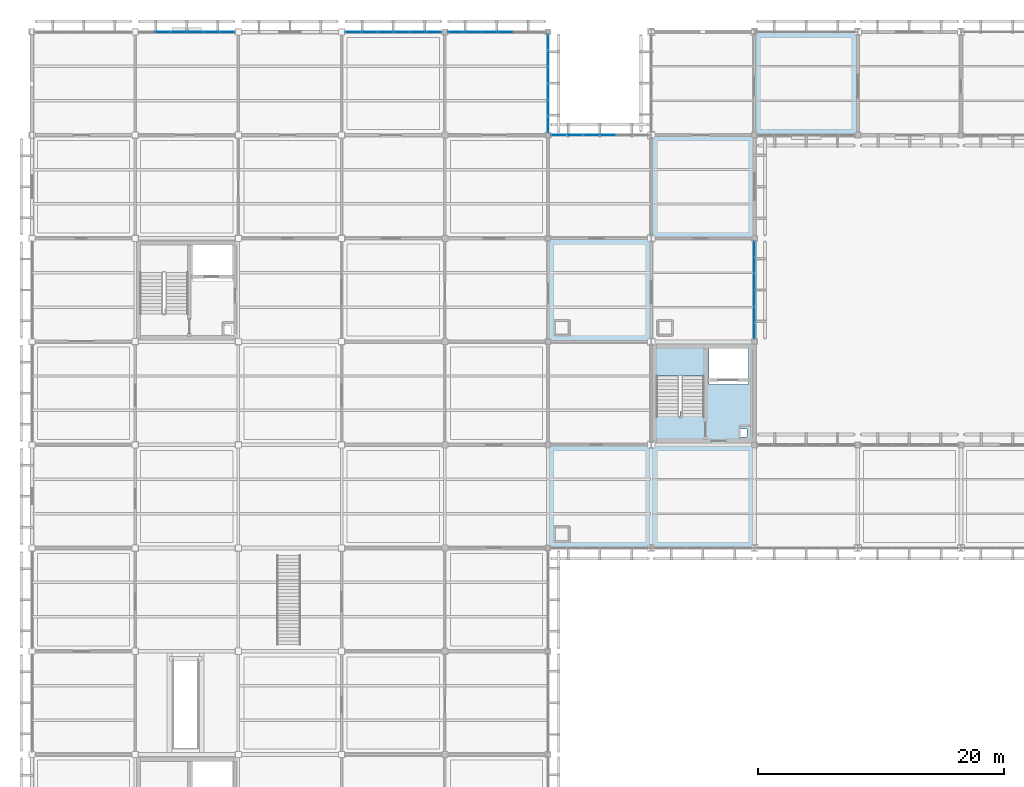
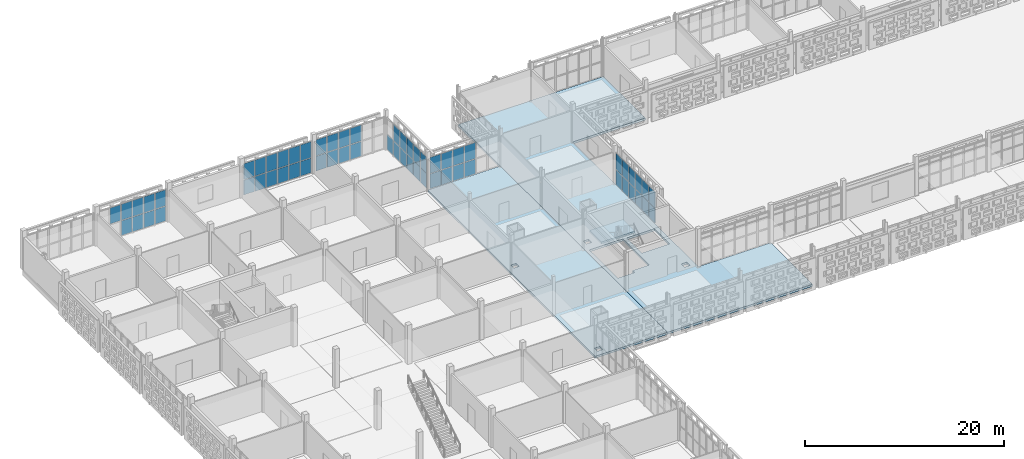
# One storey, part 96 of 203: 60 plates, 3 slabs, 7 elements without a shape of their own.
"""IFC4 building model written with IfcOpenShell, lengths in metres."""

from ifc_helpers import new_model, si_unit, direction, frame, origin, origin_2d, place, context, subcontext, project, spatial, polyline, rectangle, outline, extrude, material, layer, layer_set, type_object, element, aggregate, save


model = new_model("IFC4")

# Units and contexts
model_context = context("Model", 3, precision=1e-05, world=origin(), true_north=direction((0.0, 1.0)))
body_context = subcontext(model_context, "Body", "Model", "MODEL_VIEW")
ifc_project = project(units=[si_unit("LENGTHUNIT", "METRE"), si_unit("AREAUNIT", "SQUARE_METRE"), si_unit("VOLUMEUNIT", "CUBIC_METRE"), si_unit("PLANEANGLEUNIT", "RADIAN"), si_unit("MASSUNIT", "GRAM", prefix="KILO")], contexts=[model_context])

# Site, building, storey
site_placement = place(None, origin())
site = spatial("IfcSite", under=ifc_project, at=site_placement, CompositionType="ELEMENT")
building_placement = place(site_placement, origin())
building = spatial("IfcBuilding", under=site, at=building_placement, Name="Varnapada Polytechnic", CompositionType="ELEMENT")
storey_placement = place(building_placement, frame((0.0, 0.0, 4.800048828125)))
storey = spatial("IfcBuildingStorey", under=building, at=storey_placement, Name="L01", CompositionType="ELEMENT", Elevation=4.800048828125)

# Curtain wall, plates
ifc_material_1 = material(Name="Double low-E laminated glass", Category="glass")
ifc_layer_1 = layer(ifc_material_1, 0.159912109375)
ifc_layer_set_1 = layer_set([ifc_layer_1], Name="Double low-E laminated glass")
curtain_wall_type_1 = type_object("IfcCurtainWallType", Name="Curtain Wall CW-02", PredefinedType="NOTDEFINED", material=ifc_layer_set_1)
curtain_wall_1_placement = place(storey_placement, origin())
curtain_wall_1 = element("IfcCurtainWall", 1, at=curtain_wall_1_placement, inside=storey, type_object=curtain_wall_type_1, Name="L01 unitised curtain wall CW-02 (53)", PredefinedType="NOTDEFINED")
ifc_layer_2 = layer(ifc_material_1, 0.028076171875)
ifc_layer_set_2 = layer_set([ifc_layer_2], Name="Double low-E laminated glass")
plate_type_1 = type_object("IfcPlateType", Name="Curtain Panel PNL-01", PredefinedType="CURTAIN_PANEL", material=ifc_layer_set_2)
plate_1_placement = place(storey_placement, frame((58.800048828125, 108.31005859375, 0.06005859375), z_axis=(0.0, 0.0, 1.0), x_axis=(0.0, -1.0, 0.0)))
plate_1 = element("IfcPlate", 2, at=plate_1_placement, type_object=plate_type_1, Name="CW-02 panel 1.1", PredefinedType="CURTAIN_PANEL", context=body_context, shape_type="SweptSolid", body=[
    extrude(rectangle(XDim=1.239990234375, YDim=0.028076171875, at=origin_2d()), origin(), (0.0, 0.0, 1.0), 1.810791015625),
])
plate_2_placement = place(storey_placement, frame((58.800048828125, 108.31005859375, 1.9306640625), z_axis=(0.0, 0.0, 1.0), x_axis=(0.0, -1.0, 0.0)))
plate_2 = element("IfcPlate", 3, at=plate_2_placement, type_object=plate_type_1, Name="CW-02 panel 1.2", PredefinedType="CURTAIN_PANEL", context=body_context, shape_type="SweptSolid", body=[
    extrude(rectangle(XDim=1.239990234375, YDim=0.028076171875, at=origin_2d()), origin(), (0.0, 0.0, 1.0), 1.96923828125),
])
plate_3_placement = place(storey_placement, frame((58.800048828125, 106.9951171875, 0.06005859375), z_axis=(0.0, 0.0, 1.0), x_axis=(0.0, -1.0, 0.0)))
plate_3 = element("IfcPlate", 4, at=plate_3_placement, type_object=plate_type_1, Name="CW-02 panel 2.1", PredefinedType="CURTAIN_PANEL", context=body_context, shape_type="SweptSolid", body=[
    extrude(rectangle(XDim=1.27001953125, YDim=0.028076171875, at=origin_2d()), origin(), (0.0, 0.0, 1.0), 1.810791015625),
])
plate_4_placement = place(storey_placement, frame((58.800048828125, 106.9951171875, 1.9306640625), z_axis=(0.0, 0.0, 1.0), x_axis=(0.0, -1.0, 0.0)))
plate_4 = element("IfcPlate", 5, at=plate_4_placement, type_object=plate_type_1, Name="CW-02 panel 2.2", PredefinedType="CURTAIN_PANEL", context=body_context, shape_type="SweptSolid", body=[
    extrude(rectangle(XDim=1.27001953125, YDim=0.028076171875, at=origin_2d()), origin(), (0.0, 0.0, 1.0), 1.96923828125),
])
plate_5_placement = place(storey_placement, frame((58.800048828125, 105.6650390625, 0.06005859375), z_axis=(0.0, 0.0, 1.0), x_axis=(0.0, -1.0, 0.0)))
plate_5 = element("IfcPlate", 6, at=plate_5_placement, type_object=plate_type_1, Name="CW-02 panel 3.1", PredefinedType="CURTAIN_PANEL", context=body_context, shape_type="SweptSolid", body=[
    extrude(rectangle(XDim=1.27001953125, YDim=0.028076171875, at=origin_2d()), origin(), (0.0, 0.0, 1.0), 1.810791015625),
])
plate_6_placement = place(storey_placement, frame((58.800048828125, 105.6650390625, 1.9306640625), z_axis=(0.0, 0.0, 1.0), x_axis=(0.0, -1.0, 0.0)))
plate_6 = element("IfcPlate", 7, at=plate_6_placement, type_object=plate_type_1, Name="CW-02 panel 3.2", PredefinedType="CURTAIN_PANEL", context=body_context, shape_type="SweptSolid", body=[
    extrude(rectangle(XDim=1.27001953125, YDim=0.028076171875, at=origin_2d()), origin(), (0.0, 0.0, 1.0), 1.96923828125),
])
plate_7_placement = place(storey_placement, frame((58.800048828125, 104.3349609375, 0.06005859375), z_axis=(0.0, 0.0, 1.0), x_axis=(0.0, -1.0, 0.0)))
plate_7 = element("IfcPlate", 8, at=plate_7_placement, type_object=plate_type_1, Name="CW-02 panel 4.1", PredefinedType="CURTAIN_PANEL", context=body_context, shape_type="SweptSolid", body=[
    extrude(rectangle(XDim=1.27001953125, YDim=0.028076171875, at=origin_2d()), origin(), (0.0, 0.0, 1.0), 1.810791015625),
])
plate_8_placement = place(storey_placement, frame((58.800048828125, 104.3349609375, 1.9306640625), z_axis=(0.0, 0.0, 1.0), x_axis=(0.0, -1.0, 0.0)))
plate_8 = element("IfcPlate", 9, at=plate_8_placement, type_object=plate_type_1, Name="CW-02 panel 4.2", PredefinedType="CURTAIN_PANEL", context=body_context, shape_type="SweptSolid", body=[
    extrude(rectangle(XDim=1.27001953125, YDim=0.028076171875, at=origin_2d()), origin(), (0.0, 0.0, 1.0), 1.96923828125),
])
plate_9_placement = place(storey_placement, frame((58.800048828125, 103.0048828125, 0.06005859375), z_axis=(0.0, 0.0, 1.0), x_axis=(0.0, -1.0, 0.0)))
plate_9 = element("IfcPlate", 10, at=plate_9_placement, type_object=plate_type_1, Name="CW-02 panel 5.1", PredefinedType="CURTAIN_PANEL", context=body_context, shape_type="SweptSolid", body=[
    extrude(rectangle(XDim=1.27001953125, YDim=0.028076171875, at=origin_2d()), origin(), (0.0, 0.0, 1.0), 1.810791015625),
])
plate_10_placement = place(storey_placement, frame((58.800048828125, 103.0048828125, 1.9306640625), z_axis=(0.0, 0.0, 1.0), x_axis=(0.0, -1.0, 0.0)))
plate_10 = element("IfcPlate", 11, at=plate_10_placement, type_object=plate_type_1, Name="CW-02 panel 5.2", PredefinedType="CURTAIN_PANEL", context=body_context, shape_type="SweptSolid", body=[
    extrude(rectangle(XDim=1.27001953125, YDim=0.028076171875, at=origin_2d()), origin(), (0.0, 0.0, 1.0), 1.96923828125),
])
plate_11_placement = place(storey_placement, frame((58.800048828125, 101.68994140625, 0.06005859375), z_axis=(0.0, 0.0, 1.0), x_axis=(0.0, -1.0, 0.0)))
plate_11 = element("IfcPlate", 12, at=plate_11_placement, type_object=plate_type_1, Name="CW-02 panel 6.1", PredefinedType="CURTAIN_PANEL", context=body_context, shape_type="SweptSolid", body=[
    extrude(rectangle(XDim=1.239990234375, YDim=0.028076171875, at=origin_2d()), origin(), (0.0, 0.0, 1.0), 1.810791015625),
])
plate_12_placement = place(storey_placement, frame((58.800048828125, 101.68994140625, 1.9306640625), z_axis=(0.0, 0.0, 1.0), x_axis=(0.0, -1.0, 0.0)))
plate_12 = element("IfcPlate", 13, at=plate_12_placement, type_object=plate_type_1, Name="CW-02 panel 6.2", PredefinedType="CURTAIN_PANEL", context=body_context, shape_type="SweptSolid", body=[
    extrude(rectangle(XDim=1.239990234375, YDim=0.028076171875, at=origin_2d()), origin(), (0.0, 0.0, 1.0), 1.96923828125),
])
aggregate(curtain_wall_1, [plate_1, plate_2, plate_3, plate_4, plate_5, plate_6, plate_7, plate_8, plate_9, plate_10, plate_11, plate_12])

ifc_layer_3 = layer(ifc_material_1, 0.179931640625)
ifc_layer_set_3 = layer_set([ifc_layer_3], Name="Double low-E laminated glass")
curtain_wall_type_2 = type_object("IfcCurtainWallType", Name="Curtain Wall CW-03", PredefinedType="NOTDEFINED", material=ifc_layer_set_3)
curtain_wall_2_placement = place(storey_placement, origin())
curtain_wall_2 = element("IfcCurtainWall", 14, at=curtain_wall_2_placement, inside=storey, type_object=curtain_wall_type_2, Name="L01 unitised curtain wall CW-03 (30)", PredefinedType="NOTDEFINED")
ifc_layer_4 = layer(ifc_material_1, 0.031982421875)
ifc_layer_set_4 = layer_set([ifc_layer_4], Name="Double low-E laminated glass")
plate_type_2 = type_object("IfcPlateType", Name="Curtain Panel PNL-02", PredefinedType="CURTAIN_PANEL", material=ifc_layer_set_4)
plate_13_placement = place(storey_placement, frame((10.6298828125, 126.0, 1.93310546875), z_axis=(0.0, 0.0, 1.0), x_axis=(1.0, 0.0, 0.0)))
plate_13 = element("IfcPlate", 15, at=plate_13_placement, type_object=plate_type_2, Name="CW-03 panel 2.2", PredefinedType="CURTAIN_PANEL", context=body_context, shape_type="SweptSolid", body=[
    extrude(rectangle(XDim=1.248291015625, YDim=0.031982421875, at=origin_2d()), origin(), (0.0, 0.0, 1.0), 1.961669921875),
])
plate_14_placement = place(storey_placement, frame((11.943359375, 126.0, 0.06494140625), z_axis=(0.0, 0.0, 1.0), x_axis=(1.0, 0.0, 0.0)))
plate_14 = element("IfcPlate", 16, at=plate_14_placement, type_object=plate_type_2, Name="CW-03 panel 3.1", PredefinedType="CURTAIN_PANEL", context=body_context, shape_type="SweptSolid", body=[
    extrude(rectangle(XDim=1.248291015625, YDim=0.031982421875, at=origin_2d()), origin(), (0.0, 0.0, 1.0), 1.80322265625),
])
plate_15_placement = place(storey_placement, frame((11.943359375, 126.0, 1.93310546875), z_axis=(0.0, 0.0, 1.0), x_axis=(1.0, 0.0, 0.0)))
plate_15 = element("IfcPlate", 17, at=plate_15_placement, type_object=plate_type_2, Name="CW-03 panel 3.2", PredefinedType="CURTAIN_PANEL", context=body_context, shape_type="SweptSolid", body=[
    extrude(rectangle(XDim=1.248291015625, YDim=0.031982421875, at=origin_2d()), origin(), (0.0, 0.0, 1.0), 1.961669921875),
])
plate_16_placement = place(storey_placement, frame((13.256591796875, 126.0, 0.06494140625), z_axis=(0.0, 0.0, 1.0), x_axis=(1.0, 0.0, 0.0)))
plate_16 = element("IfcPlate", 18, at=plate_16_placement, type_object=plate_type_2, Name="CW-03 panel 4.1", PredefinedType="CURTAIN_PANEL", context=body_context, shape_type="SweptSolid", body=[
    extrude(rectangle(XDim=1.248291015625, YDim=0.031982421875, at=origin_2d()), origin(), (0.0, 0.0, 1.0), 1.80322265625),
])
plate_17_placement = place(storey_placement, frame((13.256591796875, 126.0, 1.93310546875), z_axis=(0.0, 0.0, 1.0), x_axis=(1.0, 0.0, 0.0)))
plate_17 = element("IfcPlate", 19, at=plate_17_placement, type_object=plate_type_2, Name="CW-03 panel 4.2", PredefinedType="CURTAIN_PANEL", context=body_context, shape_type="SweptSolid", body=[
    extrude(rectangle(XDim=1.248291015625, YDim=0.031982421875, at=origin_2d()), origin(), (0.0, 0.0, 1.0), 1.961669921875),
])
plate_18_placement = place(storey_placement, frame((14.570068359375, 126.0, 0.06494140625), z_axis=(0.0, 0.0, 1.0), x_axis=(1.0, 0.0, 0.0)))
plate_18 = element("IfcPlate", 20, at=plate_18_placement, type_object=plate_type_2, Name="CW-03 panel 5.1", PredefinedType="CURTAIN_PANEL", context=body_context, shape_type="SweptSolid", body=[
    extrude(rectangle(XDim=1.248291015625, YDim=0.031982421875, at=origin_2d()), origin(), (0.0, 0.0, 1.0), 1.80322265625),
])
plate_19_placement = place(storey_placement, frame((14.570068359375, 126.0, 1.93310546875), z_axis=(0.0, 0.0, 1.0), x_axis=(1.0, 0.0, 0.0)))
plate_19 = element("IfcPlate", 21, at=plate_19_placement, type_object=plate_type_2, Name="CW-03 panel 5.2", PredefinedType="CURTAIN_PANEL", context=body_context, shape_type="SweptSolid", body=[
    extrude(rectangle(XDim=1.248291015625, YDim=0.031982421875, at=origin_2d()), origin(), (0.0, 0.0, 1.0), 1.961669921875),
])
plate_20_placement = place(storey_placement, frame((15.8671875, 126.0, 0.06494140625), z_axis=(0.0, 0.0, 1.0), x_axis=(1.0, 0.0, 0.0)))
plate_20 = element("IfcPlate", 22, at=plate_20_placement, type_object=plate_type_2, Name="CW-03 panel 6.1", PredefinedType="CURTAIN_PANEL", context=body_context, shape_type="SweptSolid", body=[
    extrude(rectangle(XDim=1.2158203125, YDim=0.031982421875, at=origin_2d()), origin(), (0.0, 0.0, 1.0), 1.80322265625),
])
plate_21_placement = place(storey_placement, frame((15.8671875, 126.0, 1.93310546875), z_axis=(0.0, 0.0, 1.0), x_axis=(1.0, 0.0, 0.0)))
plate_21 = element("IfcPlate", 23, at=plate_21_placement, type_object=plate_type_2, Name="CW-03 panel 6.2", PredefinedType="CURTAIN_PANEL", context=body_context, shape_type="SweptSolid", body=[
    extrude(rectangle(XDim=1.2158203125, YDim=0.031982421875, at=origin_2d()), origin(), (0.0, 0.0, 1.0), 1.961669921875),
])
aggregate(curtain_wall_2, [plate_13, plate_14, plate_15, plate_16, plate_17, plate_18, plate_19, plate_20, plate_21])

curtain_wall_3_placement = place(storey_placement, origin())
curtain_wall_3 = element("IfcCurtainWall", 24, at=curtain_wall_3_placement, inside=storey, type_object=curtain_wall_type_2, Name="L01 unitised curtain wall CW-03 (34)", PredefinedType="NOTDEFINED")
plate_22_placement = place(storey_placement, frame((26.13623046875, 126.0, 0.06494140625), z_axis=(0.0, 0.0, 1.0), x_axis=(1.0, 0.0, 0.0)))
plate_22 = element("IfcPlate", 25, at=plate_22_placement, type_object=plate_type_2, Name="CW-03 panel 1.1", PredefinedType="CURTAIN_PANEL", context=body_context, shape_type="SweptSolid", body=[
    extrude(rectangle(XDim=1.222412109375, YDim=0.031982421875, at=origin_2d()), origin(), (0.0, 0.0, 1.0), 1.80322265625),
])
plate_23_placement = place(storey_placement, frame((26.13623046875, 126.0, 1.93310546875), z_axis=(0.0, 0.0, 1.0), x_axis=(1.0, 0.0, 0.0)))
plate_23 = element("IfcPlate", 26, at=plate_23_placement, type_object=plate_type_2, Name="CW-03 panel 1.2", PredefinedType="CURTAIN_PANEL", context=body_context, shape_type="SweptSolid", body=[
    extrude(rectangle(XDim=1.222412109375, YDim=0.031982421875, at=origin_2d()), origin(), (0.0, 0.0, 1.0), 1.961669921875),
])
plate_24_placement = place(storey_placement, frame((27.43994140625, 126.0, 0.06494140625), z_axis=(0.0, 0.0, 1.0), x_axis=(1.0, 0.0, 0.0)))
plate_24 = element("IfcPlate", 27, at=plate_24_placement, type_object=plate_type_2, Name="CW-03 panel 2.1", PredefinedType="CURTAIN_PANEL", context=body_context, shape_type="SweptSolid", body=[
    extrude(rectangle(XDim=1.2548828125, YDim=0.031982421875, at=origin_2d()), origin(), (0.0, 0.0, 1.0), 1.80322265625),
])
plate_25_placement = place(storey_placement, frame((27.43994140625, 126.0, 1.93310546875), z_axis=(0.0, 0.0, 1.0), x_axis=(1.0, 0.0, 0.0)))
plate_25 = element("IfcPlate", 28, at=plate_25_placement, type_object=plate_type_2, Name="CW-03 panel 2.2", PredefinedType="CURTAIN_PANEL", context=body_context, shape_type="SweptSolid", body=[
    extrude(rectangle(XDim=1.2548828125, YDim=0.031982421875, at=origin_2d()), origin(), (0.0, 0.0, 1.0), 1.961669921875),
])
plate_26_placement = place(storey_placement, frame((28.760009765625, 126.0, 0.06494140625), z_axis=(0.0, 0.0, 1.0), x_axis=(1.0, 0.0, 0.0)))
plate_26 = element("IfcPlate", 29, at=plate_26_placement, type_object=plate_type_2, Name="CW-03 panel 3.1", PredefinedType="CURTAIN_PANEL", context=body_context, shape_type="SweptSolid", body=[
    extrude(rectangle(XDim=1.2548828125, YDim=0.031982421875, at=origin_2d()), origin(), (0.0, 0.0, 1.0), 1.80322265625),
])
plate_27_placement = place(storey_placement, frame((28.760009765625, 126.0, 1.93310546875), z_axis=(0.0, 0.0, 1.0), x_axis=(1.0, 0.0, 0.0)))
plate_27 = element("IfcPlate", 30, at=plate_27_placement, type_object=plate_type_2, Name="CW-03 panel 3.2", PredefinedType="CURTAIN_PANEL", context=body_context, shape_type="SweptSolid", body=[
    extrude(rectangle(XDim=1.2548828125, YDim=0.031982421875, at=origin_2d()), origin(), (0.0, 0.0, 1.0), 1.961669921875),
])
plate_28_placement = place(storey_placement, frame((30.080078125, 126.0, 0.06494140625), z_axis=(0.0, 0.0, 1.0), x_axis=(1.0, 0.0, 0.0)))
plate_28 = element("IfcPlate", 31, at=plate_28_placement, type_object=plate_type_2, Name="CW-03 panel 4.1", PredefinedType="CURTAIN_PANEL", context=body_context, shape_type="SweptSolid", body=[
    extrude(rectangle(XDim=1.2548828125, YDim=0.031982421875, at=origin_2d()), origin(), (0.0, 0.0, 1.0), 1.80322265625),
])
plate_29_placement = place(storey_placement, frame((30.080078125, 126.0, 1.93310546875), z_axis=(0.0, 0.0, 1.0), x_axis=(1.0, 0.0, 0.0)))
plate_29 = element("IfcPlate", 32, at=plate_29_placement, type_object=plate_type_2, Name="CW-03 panel 4.2", PredefinedType="CURTAIN_PANEL", context=body_context, shape_type="SweptSolid", body=[
    extrude(rectangle(XDim=1.2548828125, YDim=0.031982421875, at=origin_2d()), origin(), (0.0, 0.0, 1.0), 1.961669921875),
])
plate_30_placement = place(storey_placement, frame((31.39990234375, 126.0, 0.06494140625), z_axis=(0.0, 0.0, 1.0), x_axis=(1.0, 0.0, 0.0)))
plate_30 = element("IfcPlate", 33, at=plate_30_placement, type_object=plate_type_2, Name="CW-03 panel 5.1", PredefinedType="CURTAIN_PANEL", context=body_context, shape_type="SweptSolid", body=[
    extrude(rectangle(XDim=1.2548828125, YDim=0.031982421875, at=origin_2d()), origin(), (0.0, 0.0, 1.0), 1.80322265625),
])
plate_31_placement = place(storey_placement, frame((31.39990234375, 126.0, 1.93310546875), z_axis=(0.0, 0.0, 1.0), x_axis=(1.0, 0.0, 0.0)))
plate_31 = element("IfcPlate", 34, at=plate_31_placement, type_object=plate_type_2, Name="CW-03 panel 5.2", PredefinedType="CURTAIN_PANEL", context=body_context, shape_type="SweptSolid", body=[
    extrude(rectangle(XDim=1.2548828125, YDim=0.031982421875, at=origin_2d()), origin(), (0.0, 0.0, 1.0), 1.961669921875),
])
plate_32_placement = place(storey_placement, frame((32.703857421875, 126.0, 0.06494140625), z_axis=(0.0, 0.0, 1.0), x_axis=(1.0, 0.0, 0.0)))
plate_32 = element("IfcPlate", 35, at=plate_32_placement, type_object=plate_type_2, Name="CW-03 panel 6.1", PredefinedType="CURTAIN_PANEL", context=body_context, shape_type="SweptSolid", body=[
    extrude(rectangle(XDim=1.222412109375, YDim=0.031982421875, at=origin_2d()), origin(), (0.0, 0.0, 1.0), 1.80322265625),
])
plate_33_placement = place(storey_placement, frame((32.703857421875, 126.0, 1.93310546875), z_axis=(0.0, 0.0, 1.0), x_axis=(1.0, 0.0, 0.0)))
plate_33 = element("IfcPlate", 36, at=plate_33_placement, type_object=plate_type_2, Name="CW-03 panel 6.2", PredefinedType="CURTAIN_PANEL", context=body_context, shape_type="SweptSolid", body=[
    extrude(rectangle(XDim=1.222412109375, YDim=0.031982421875, at=origin_2d()), origin(), (0.0, 0.0, 1.0), 1.961669921875),
])
aggregate(curtain_wall_3, [plate_22, plate_23, plate_24, plate_25, plate_26, plate_27, plate_28, plate_29, plate_30, plate_31, plate_32, plate_33])

curtain_wall_4_placement = place(storey_placement, origin())
curtain_wall_4 = element("IfcCurtainWall", 37, at=curtain_wall_4_placement, inside=storey, type_object=curtain_wall_type_2, Name="L01 unitised curtain wall CW-03 (41)", PredefinedType="NOTDEFINED")
plate_34_placement = place(storey_placement, frame((34.503662109375, 126.0, 0.06494140625), z_axis=(0.0, 0.0, 1.0), x_axis=(1.0, 0.0, 0.0)))
plate_34 = element("IfcPlate", 38, at=plate_34_placement, type_object=plate_type_2, Name="CW-03 panel 1.1", PredefinedType="CURTAIN_PANEL", context=body_context, shape_type="SweptSolid", body=[
    extrude(rectangle(XDim=1.237548828125, YDim=0.031982421875, at=origin_2d()), origin(), (0.0, 0.0, 1.0), 1.80322265625),
])
plate_35_placement = place(storey_placement, frame((34.503662109375, 126.0, 1.93310546875), z_axis=(0.0, 0.0, 1.0), x_axis=(1.0, 0.0, 0.0)))
plate_35 = element("IfcPlate", 39, at=plate_35_placement, type_object=plate_type_2, Name="CW-03 panel 1.2", PredefinedType="CURTAIN_PANEL", context=body_context, shape_type="SweptSolid", body=[
    extrude(rectangle(XDim=1.237548828125, YDim=0.031982421875, at=origin_2d()), origin(), (0.0, 0.0, 1.0), 1.961669921875),
])
plate_36_placement = place(storey_placement, frame((35.822509765625, 126.0, 0.06494140625), z_axis=(0.0, 0.0, 1.0), x_axis=(1.0, 0.0, 0.0)))
plate_36 = element("IfcPlate", 40, at=plate_36_placement, type_object=plate_type_2, Name="CW-03 panel 2.1", PredefinedType="CURTAIN_PANEL", context=body_context, shape_type="SweptSolid", body=[
    extrude(rectangle(XDim=1.27001953125, YDim=0.031982421875, at=origin_2d()), origin(), (0.0, 0.0, 1.0), 1.80322265625),
])
plate_37_placement = place(storey_placement, frame((35.822509765625, 126.0, 1.93310546875), z_axis=(0.0, 0.0, 1.0), x_axis=(1.0, 0.0, 0.0)))
plate_37 = element("IfcPlate", 41, at=plate_37_placement, type_object=plate_type_2, Name="CW-03 panel 2.2", PredefinedType="CURTAIN_PANEL", context=body_context, shape_type="SweptSolid", body=[
    extrude(rectangle(XDim=1.27001953125, YDim=0.031982421875, at=origin_2d()), origin(), (0.0, 0.0, 1.0), 1.961669921875),
])
plate_38_placement = place(storey_placement, frame((37.157470703125, 126.0, 0.06494140625), z_axis=(0.0, 0.0, 1.0), x_axis=(1.0, 0.0, 0.0)))
plate_38 = element("IfcPlate", 42, at=plate_38_placement, type_object=plate_type_2, Name="CW-03 panel 3.1", PredefinedType="CURTAIN_PANEL", context=body_context, shape_type="SweptSolid", body=[
    extrude(rectangle(XDim=1.27001953125, YDim=0.031982421875, at=origin_2d()), origin(), (0.0, 0.0, 1.0), 1.80322265625),
])
plate_39_placement = place(storey_placement, frame((37.157470703125, 126.0, 1.93310546875), z_axis=(0.0, 0.0, 1.0), x_axis=(1.0, 0.0, 0.0)))
plate_39 = element("IfcPlate", 43, at=plate_39_placement, type_object=plate_type_2, Name="CW-03 panel 3.2", PredefinedType="CURTAIN_PANEL", context=body_context, shape_type="SweptSolid", body=[
    extrude(rectangle(XDim=1.27001953125, YDim=0.031982421875, at=origin_2d()), origin(), (0.0, 0.0, 1.0), 1.961669921875),
])
plate_40_placement = place(storey_placement, frame((38.492431640625, 126.0, 0.06494140625), z_axis=(0.0, 0.0, 1.0), x_axis=(1.0, 0.0, 0.0)))
plate_40 = element("IfcPlate", 44, at=plate_40_placement, type_object=plate_type_2, Name="CW-03 panel 4.1", PredefinedType="CURTAIN_PANEL", context=body_context, shape_type="SweptSolid", body=[
    extrude(rectangle(XDim=1.27001953125, YDim=0.031982421875, at=origin_2d()), origin(), (0.0, 0.0, 1.0), 1.80322265625),
])
plate_41_placement = place(storey_placement, frame((38.492431640625, 126.0, 1.93310546875), z_axis=(0.0, 0.0, 1.0), x_axis=(1.0, 0.0, 0.0)))
plate_41 = element("IfcPlate", 45, at=plate_41_placement, type_object=plate_type_2, Name="CW-03 panel 4.2", PredefinedType="CURTAIN_PANEL", context=body_context, shape_type="SweptSolid", body=[
    extrude(rectangle(XDim=1.27001953125, YDim=0.031982421875, at=origin_2d()), origin(), (0.0, 0.0, 1.0), 1.961669921875),
])
aggregate(curtain_wall_4, [plate_34, plate_35, plate_36, plate_37, plate_38, plate_39, plate_40, plate_41])

curtain_wall_5_placement = place(storey_placement, origin())
curtain_wall_5 = element("IfcCurtainWall", 46, at=curtain_wall_5_placement, inside=storey, type_object=curtain_wall_type_2, Name="L01 unitised curtain wall CW-03 (42)", PredefinedType="NOTDEFINED")
plate_42_placement = place(storey_placement, frame((42.0, 125.142822265625, 0.06494140625), z_axis=(0.0, 0.0, 1.0), x_axis=(0.0, -1.0, 0.0)))
plate_42 = element("IfcPlate", 47, at=plate_42_placement, type_object=plate_type_2, Name="CW-03 panel 1.1", PredefinedType="CURTAIN_PANEL", context=body_context, shape_type="SweptSolid", body=[
    extrude(rectangle(XDim=1.244140625, YDim=0.031982421875, at=origin_2d()), origin(), (0.0, 0.0, 1.0), 1.80322265625),
])
plate_43_placement = place(storey_placement, frame((42.0, 123.8173828125, 0.06494140625), z_axis=(0.0, 0.0, 1.0), x_axis=(0.0, -1.0, 0.0)))
plate_43 = element("IfcPlate", 48, at=plate_43_placement, type_object=plate_type_2, Name="CW-03 panel 2.1", PredefinedType="CURTAIN_PANEL", context=body_context, shape_type="SweptSolid", body=[
    extrude(rectangle(XDim=1.276611328125, YDim=0.031982421875, at=origin_2d()), origin(), (0.0, 0.0, 1.0), 1.80322265625),
])
plate_44_placement = place(storey_placement, frame((42.0, 123.8173828125, 1.93310546875), z_axis=(0.0, 0.0, 1.0), x_axis=(0.0, -1.0, 0.0)))
plate_44 = element("IfcPlate", 49, at=plate_44_placement, type_object=plate_type_2, Name="CW-03 panel 2.2", PredefinedType="CURTAIN_PANEL", context=body_context, shape_type="SweptSolid", body=[
    extrude(rectangle(XDim=1.276611328125, YDim=0.031982421875, at=origin_2d()), origin(), (0.0, 0.0, 1.0), 1.961669921875),
])
plate_45_placement = place(storey_placement, frame((42.0, 122.475830078125, 0.06494140625), z_axis=(0.0, 0.0, 1.0), x_axis=(0.0, -1.0, 0.0)))
plate_45 = element("IfcPlate", 50, at=plate_45_placement, type_object=plate_type_2, Name="CW-03 panel 3.1", PredefinedType="CURTAIN_PANEL", context=body_context, shape_type="SweptSolid", body=[
    extrude(rectangle(XDim=1.276611328125, YDim=0.031982421875, at=origin_2d()), origin(), (0.0, 0.0, 1.0), 1.80322265625),
])
plate_46_placement = place(storey_placement, frame((42.0, 122.475830078125, 1.93310546875), z_axis=(0.0, 0.0, 1.0), x_axis=(0.0, -1.0, 0.0)))
plate_46 = element("IfcPlate", 51, at=plate_46_placement, type_object=plate_type_2, Name="CW-03 panel 3.2", PredefinedType="CURTAIN_PANEL", context=body_context, shape_type="SweptSolid", body=[
    extrude(rectangle(XDim=1.276611328125, YDim=0.031982421875, at=origin_2d()), origin(), (0.0, 0.0, 1.0), 1.961669921875),
])
plate_47_placement = place(storey_placement, frame((42.0, 121.13427734375, 0.06494140625), z_axis=(0.0, 0.0, 1.0), x_axis=(0.0, -1.0, 0.0)))
plate_47 = element("IfcPlate", 52, at=plate_47_placement, type_object=plate_type_2, Name="CW-03 panel 4.1", PredefinedType="CURTAIN_PANEL", context=body_context, shape_type="SweptSolid", body=[
    extrude(rectangle(XDim=1.276611328125, YDim=0.031982421875, at=origin_2d()), origin(), (0.0, 0.0, 1.0), 1.80322265625),
])
plate_48_placement = place(storey_placement, frame((42.0, 121.13427734375, 1.93310546875), z_axis=(0.0, 0.0, 1.0), x_axis=(0.0, -1.0, 0.0)))
plate_48 = element("IfcPlate", 53, at=plate_48_placement, type_object=plate_type_2, Name="CW-03 panel 4.2", PredefinedType="CURTAIN_PANEL", context=body_context, shape_type="SweptSolid", body=[
    extrude(rectangle(XDim=1.276611328125, YDim=0.031982421875, at=origin_2d()), origin(), (0.0, 0.0, 1.0), 1.961669921875),
])
plate_49_placement = place(storey_placement, frame((42.0, 119.79248046875, 0.06494140625), z_axis=(0.0, 0.0, 1.0), x_axis=(0.0, -1.0, 0.0)))
plate_49 = element("IfcPlate", 54, at=plate_49_placement, type_object=plate_type_2, Name="CW-03 panel 5.1", PredefinedType="CURTAIN_PANEL", context=body_context, shape_type="SweptSolid", body=[
    extrude(rectangle(XDim=1.276611328125, YDim=0.031982421875, at=origin_2d()), origin(), (0.0, 0.0, 1.0), 1.80322265625),
])
plate_50_placement = place(storey_placement, frame((42.0, 119.79248046875, 1.93310546875), z_axis=(0.0, 0.0, 1.0), x_axis=(0.0, -1.0, 0.0)))
plate_50 = element("IfcPlate", 55, at=plate_50_placement, type_object=plate_type_2, Name="CW-03 panel 5.2", PredefinedType="CURTAIN_PANEL", context=body_context, shape_type="SweptSolid", body=[
    extrude(rectangle(XDim=1.276611328125, YDim=0.031982421875, at=origin_2d()), origin(), (0.0, 0.0, 1.0), 1.961669921875),
])
plate_51_placement = place(storey_placement, frame((42.0, 118.467041015625, 0.06494140625), z_axis=(0.0, 0.0, 1.0), x_axis=(0.0, -1.0, 0.0)))
plate_51 = element("IfcPlate", 56, at=plate_51_placement, type_object=plate_type_2, Name="CW-03 panel 6.1", PredefinedType="CURTAIN_PANEL", context=body_context, shape_type="SweptSolid", body=[
    extrude(rectangle(XDim=1.244140625, YDim=0.031982421875, at=origin_2d()), origin(), (0.0, 0.0, 1.0), 1.80322265625),
])
plate_52_placement = place(storey_placement, frame((42.0, 118.467041015625, 1.93310546875), z_axis=(0.0, 0.0, 1.0), x_axis=(0.0, -1.0, 0.0)))
plate_52 = element("IfcPlate", 57, at=plate_52_placement, type_object=plate_type_2, Name="CW-03 panel 6.2", PredefinedType="CURTAIN_PANEL", context=body_context, shape_type="SweptSolid", body=[
    extrude(rectangle(XDim=1.244140625, YDim=0.031982421875, at=origin_2d()), origin(), (0.0, 0.0, 1.0), 1.961669921875),
])
aggregate(curtain_wall_5, [plate_42, plate_43, plate_44, plate_45, plate_46, plate_47, plate_48, plate_49, plate_50, plate_51, plate_52])

curtain_wall_6_placement = place(storey_placement, origin())
curtain_wall_6 = element("IfcCurtainWall", 58, at=curtain_wall_6_placement, inside=storey, type_object=curtain_wall_type_2, Name="L01 unitised curtain wall CW-03 (47)", PredefinedType="NOTDEFINED")
plate_53_placement = place(storey_placement, frame((42.86865234375, 117.60009765625, 0.06494140625), z_axis=(0.0, 0.0, 1.0), x_axis=(1.0, 0.0, 0.0)))
plate_53 = element("IfcPlate", 59, at=plate_53_placement, type_object=plate_type_2, Name="CW-03 panel 1.1", PredefinedType="CURTAIN_PANEL", context=body_context, shape_type="SweptSolid", body=[
    extrude(rectangle(XDim=1.24755859375, YDim=0.031982421875, at=origin_2d()), origin(), (0.0, 0.0, 1.0), 1.80322265625),
])
plate_54_placement = place(storey_placement, frame((42.86865234375, 117.60009765625, 1.93310546875), z_axis=(0.0, 0.0, 1.0), x_axis=(1.0, 0.0, 0.0)))
plate_54 = element("IfcPlate", 60, at=plate_54_placement, type_object=plate_type_2, Name="CW-03 panel 1.2", PredefinedType="CURTAIN_PANEL", context=body_context, shape_type="SweptSolid", body=[
    extrude(rectangle(XDim=1.24755859375, YDim=0.031982421875, at=origin_2d()), origin(), (0.0, 0.0, 1.0), 1.961669921875),
])
plate_55_placement = place(storey_placement, frame((44.197509765625, 117.60009765625, 0.06494140625), z_axis=(0.0, 0.0, 1.0), x_axis=(1.0, 0.0, 0.0)))
plate_55 = element("IfcPlate", 61, at=plate_55_placement, type_object=plate_type_2, Name="CW-03 panel 2.1", PredefinedType="CURTAIN_PANEL", context=body_context, shape_type="SweptSolid", body=[
    extrude(rectangle(XDim=1.280029296875, YDim=0.031982421875, at=origin_2d()), origin(), (0.0, 0.0, 1.0), 1.80322265625),
])
plate_56_placement = place(storey_placement, frame((44.197509765625, 117.60009765625, 1.93310546875), z_axis=(0.0, 0.0, 1.0), x_axis=(1.0, 0.0, 0.0)))
plate_56 = element("IfcPlate", 62, at=plate_56_placement, type_object=plate_type_2, Name="CW-03 panel 2.2", PredefinedType="CURTAIN_PANEL", context=body_context, shape_type="SweptSolid", body=[
    extrude(rectangle(XDim=1.280029296875, YDim=0.031982421875, at=origin_2d()), origin(), (0.0, 0.0, 1.0), 1.961669921875),
])
plate_57_placement = place(storey_placement, frame((45.54248046875, 117.60009765625, 0.06494140625), z_axis=(0.0, 0.0, 1.0), x_axis=(1.0, 0.0, 0.0)))
plate_57 = element("IfcPlate", 63, at=plate_57_placement, type_object=plate_type_2, Name="CW-03 panel 3.1", PredefinedType="CURTAIN_PANEL", context=body_context, shape_type="SweptSolid", body=[
    extrude(rectangle(XDim=1.280029296875, YDim=0.031982421875, at=origin_2d()), origin(), (0.0, 0.0, 1.0), 1.80322265625),
])
plate_58_placement = place(storey_placement, frame((45.54248046875, 117.60009765625, 1.93310546875), z_axis=(0.0, 0.0, 1.0), x_axis=(1.0, 0.0, 0.0)))
plate_58 = element("IfcPlate", 64, at=plate_58_placement, type_object=plate_type_2, Name="CW-03 panel 3.2", PredefinedType="CURTAIN_PANEL", context=body_context, shape_type="SweptSolid", body=[
    extrude(rectangle(XDim=1.280029296875, YDim=0.031982421875, at=origin_2d()), origin(), (0.0, 0.0, 1.0), 1.961669921875),
])
plate_59_placement = place(storey_placement, frame((46.887451171875, 117.60009765625, 0.06494140625), z_axis=(0.0, 0.0, 1.0), x_axis=(1.0, 0.0, 0.0)))
plate_59 = element("IfcPlate", 65, at=plate_59_placement, type_object=plate_type_2, Name="CW-03 panel 4.1", PredefinedType="CURTAIN_PANEL", context=body_context, shape_type="SweptSolid", body=[
    extrude(rectangle(XDim=1.280029296875, YDim=0.031982421875, at=origin_2d()), origin(), (0.0, 0.0, 1.0), 1.80322265625),
])
plate_60_placement = place(storey_placement, frame((46.887451171875, 117.60009765625, 1.93310546875), z_axis=(0.0, 0.0, 1.0), x_axis=(1.0, 0.0, 0.0)))
plate_60 = element("IfcPlate", 66, at=plate_60_placement, type_object=plate_type_2, Name="CW-03 panel 4.2", PredefinedType="CURTAIN_PANEL", context=body_context, shape_type="SweptSolid", body=[
    extrude(rectangle(XDim=1.280029296875, YDim=0.031982421875, at=origin_2d()), origin(), (0.0, 0.0, 1.0), 1.961669921875),
])
aggregate(curtain_wall_6, [plate_53, plate_54, plate_55, plate_56, plate_57, plate_58, plate_59, plate_60])

# Slabs
ifc_material_2 = material(Name="Concrete C40/50", Category="concrete")
ifc_layer_5 = layer(ifc_material_2, 0.260009765625)
ifc_layer_set_5 = layer_set([ifc_layer_5], Name="Concrete C40/50")
slab_type_1 = type_object("IfcSlabType", Name="L01 workshop gallery & lecture slab SL-04", PredefinedType="FLOOR", material=ifc_layer_set_5)
slab_1_placement = place(storey_placement, frame((0.0, 0.0, -0.260009765625)))
element("IfcSlab", 67, at=slab_1_placement, inside=storey, type_object=slab_type_1, Name="L01 V1 slab 1.1", PredefinedType="FLOOR", context=body_context, shape_type="SweptSolid", body=[
    extrude(outline(polyline([(50.39990234375, 92.39990234375), (50.39990234375, 100.800048828125), (50.39990234375, 109.199951171875), (50.39990234375, 117.60009765625), (50.39990234375, 126.0), (58.800048828125, 126.0), (67.199951171875, 126.0), (67.199951171875, 117.60009765625), (58.800048828125, 117.60009765625), (58.800048828125, 109.199951171875), (58.800048828125, 100.800048828125), (58.800048828125, 92.39990234375), (67.199951171875, 92.39990234375), (67.199951171875, 84.0), (58.800048828125, 84.0), (50.39990234375, 84.0), (50.39990234375, 92.39990234375)]), holes=[polyline([(50.800048828125, 94.7099609375), (52.75, 94.7099609375), (52.75, 95.110107421875), (54.699951171875, 95.110107421875), (54.699951171875, 100.39990234375), (50.800048828125, 100.39990234375), (50.800048828125, 94.7099609375)]), polyline([(55.10009765625, 97.300048828125), (58.300048828125, 97.300048828125), (58.300048828125, 100.35009765625), (55.10009765625, 100.35009765625), (55.10009765625, 97.300048828125)]), polyline([(57.550048828125, 93.02001953125), (58.199951171875, 93.02001953125), (58.199951171875, 93.669921875), (57.550048828125, 93.669921875), (57.550048828125, 93.02001953125)]), polyline([(51.050048828125, 101.449951171875), (51.64990234375, 101.449951171875), (51.64990234375, 102.050048828125), (51.050048828125, 102.050048828125), (51.050048828125, 101.449951171875)])]), origin(), (0.0, 0.0, 1.0), 0.260009765625),
])
ifc_material_3 = material(Name="Cross-laminated timber CLT C24", Category="wood")
ifc_layer_6 = layer(ifc_material_3, 0.25)
ifc_layer_set_6 = layer_set([ifc_layer_6], Name="Cross-laminated timber CLT C24")
slab_type_2 = type_object("IfcSlabType", Name="L01/L02 library & union CLT composite slab SL-05", PredefinedType="FLOOR", material=ifc_layer_set_6)
slab_2_placement = place(storey_placement, frame((0.0, 0.0, -0.25)))
element("IfcSlab", 68, at=slab_2_placement, inside=storey, type_object=slab_type_2, Name="L01 V5 slab 2.1", PredefinedType="FLOOR", context=body_context, shape_type="SweptSolid", body=[
    extrude(outline(polyline([(42.0, 84.0), (42.0, 92.39990234375), (42.0, 100.800048828125), (42.0, 109.199951171875), (42.0, 117.60009765625), (50.39990234375, 117.60009765625), (50.39990234375, 109.199951171875), (50.39990234375, 100.800048828125), (50.39990234375, 92.39990234375), (50.39990234375, 84.0), (42.0, 84.0)]), holes=[polyline([(42.64990234375, 84.64990234375), (43.25, 84.64990234375), (43.25, 85.25), (42.64990234375, 85.25), (42.64990234375, 84.64990234375)]), polyline([(42.64990234375, 101.449951171875), (43.25, 101.449951171875), (43.25, 102.050048828125), (42.64990234375, 102.050048828125), (42.64990234375, 101.449951171875)])]), origin(), (0.0, 0.0, 1.0), 0.25),
])

# Stair, slab
stair_type = type_object("IfcStairType", Name="Core Exit Stair ST-B", PredefinedType="HALF_TURN_STAIR", material=ifc_material_2)
stair_placement = place(storey_placement, origin())
stair = element("IfcStair", 69, at=stair_placement, inside=storey, type_object=stair_type, Name="L01 Core C4 Exit Stair", PredefinedType="HALF_TURN_STAIR")
ifc_layer_7 = layer(ifc_material_2, 0.219970703125)
ifc_layer_set_7 = layer_set([ifc_layer_7], Name="Concrete C40/50")
slab_type_3 = type_object("IfcSlabType", Name="Stair Half Landing SLD-02", PredefinedType="LANDING", material=ifc_layer_set_7)
slab_3_placement = place(storey_placement, frame((0.0, 0.0, 2.179931640625)))
slab_3 = element("IfcSlab", 70, at=slab_3_placement, type_object=slab_type_3, Name="ST-4 landing 1", PredefinedType="LANDING", context=body_context, shape_type="SweptSolid", body=[
    extrude(outline(polyline([(54.699951171875, 98.010009765625), (54.699951171875, 100.39990234375), (50.800048828125, 100.39990234375), (50.800048828125, 98.010009765625), (54.699951171875, 98.010009765625)])), origin(), (0.0, 0.0, 1.0), 0.219970703125),
])
aggregate(stair, [slab_3])

save(model, "model.ifc")
